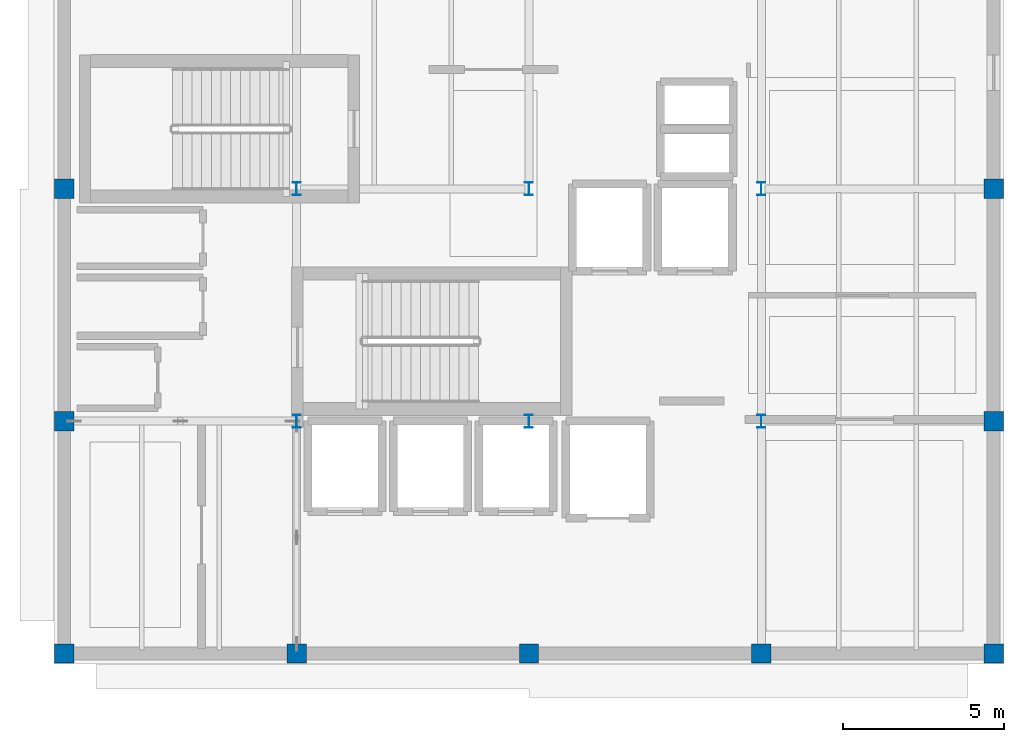
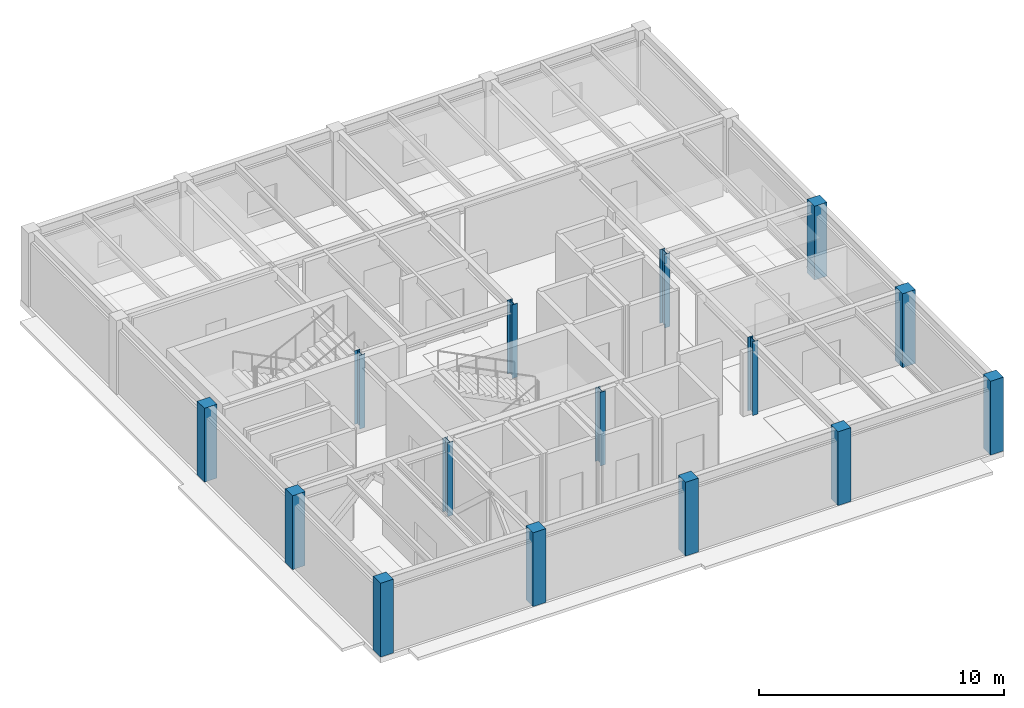
# One storey, part 1 of 8: 15 columns.
"""IFC4 building model written with IfcOpenShell, lengths in metres."""

from ifc_helpers import new_model, si_unit, direction, frame, origin, origin_2d, place, context, subcontext, project, spatial, rectangle, i_section, extrude, material, material_profile, profile_set, type_object, element, save


model = new_model("IFC4")

# Units and contexts
model_context = context("Model", 3, precision=1e-05, world=origin(), true_north=direction((0.0, 1.0)))
body_context = subcontext(model_context, "Body", "Model", "MODEL_VIEW")
ifc_project = project(units=[si_unit("LENGTHUNIT", "METRE"), si_unit("AREAUNIT", "SQUARE_METRE"), si_unit("VOLUMEUNIT", "CUBIC_METRE"), si_unit("PLANEANGLEUNIT", "RADIAN"), si_unit("MASSUNIT", "GRAM", prefix="KILO")], contexts=[model_context])

# Site, building, storey
site_placement = place(None, origin())
site = spatial("IfcSite", under=ifc_project, at=site_placement, CompositionType="ELEMENT")
building_placement = place(site_placement, origin())
building = spatial("IfcBuilding", under=site, at=building_placement, Name="Kandorven Conservatory and Botanical Research Centre", CompositionType="ELEMENT")
storey_placement = place(building_placement, frame((0.0, 0.0, 40.5)))
storey = spatial("IfcBuildingStorey", under=building, at=storey_placement, Name="L10", CompositionType="ELEMENT", Elevation=40.5)

# Columns
ifc_material_1 = material(Name="Steel S355 (IS 2062 E350)", Category="steel")
ifc_material_profile_1 = material_profile(ifc_material_1, i_section(OverallWidth=0.25, OverallDepth=0.39990234375, WebThickness=0.010498046875, FlangeThickness=0.0126953125, at=origin_2d()))
ifc_profile_set_1 = profile_set([ifc_material_profile_1], Name="Steel S355 (IS 2062 E350)")
column_type_1 = type_object("IfcColumnType", Name="Col_SC-02", PredefinedType="COLUMN", material=ifc_profile_set_1)
for number, where, z_axis, x_axis, name in (
    (1, (13.199951171875, 13.199951171875, 0.0), (0.0, 0.0, 1.0), (1.0, 0.0, 0.0), "Column SC-02 TWR L10 (2,2)"),
    (2, (13.199951171875, 20.39990234375, 0.0), (0.0, 0.0, 1.0), (1.0, 0.0, 0.0), "Column SC-02 TWR L10 (2,3)"),
    (3, (20.39990234375, 13.199951171875, 0.0), (0.0, 0.0, 1.0), (1.0, 0.0, 0.0), "Column SC-02 TWR L10 (3,2)"),
    (4, (20.39990234375, 20.39990234375, 0.0), (0.0, 0.0, 1.0), (1.0, 0.0, 0.0), "Column SC-02 TWR L10 (3,3)"),
    (5, (27.60009765625, 13.199951171875, 0.0), (0.0, 0.0, 1.0), (1.0, 0.0, 0.0), "Column SC-02 TWR L10 (4,2)"),
    (6, (27.60009765625, 20.39990234375, 0.0), (0.0, 0.0, 1.0), (1.0, 0.0, 0.0), "Column SC-02 TWR L10 (4,3)"),
):
    element("IfcColumn", number, at=place(storey_placement, frame(where, z_axis=z_axis, x_axis=x_axis)), inside=storey, type_object=column_type_1, Name=name, PredefinedType="COLUMN", context=body_context, shape_type="SweptSolid", body=[
        extrude(i_section(OverallWidth=0.25, OverallDepth=0.39990234375, WebThickness=0.010498046875, FlangeThickness=0.0126953125, at=origin_2d()), origin(), (0.0, 0.0, 1.0), 3.679931640625),
    ])
ifc_material_2 = material(Name="Concrete C40/50 (M50)", Category="concrete")
ifc_material_profile_2 = material_profile(ifc_material_2, rectangle(XDim=0.60009765625, YDim=0.60009765625, at=origin_2d()))
ifc_profile_set_2 = profile_set([ifc_material_profile_2], Name="Concrete C40/50 (M50)")
column_type_2 = type_object("IfcColumnType", Name="Col_TC-04", PredefinedType="COLUMN", material=ifc_profile_set_2)
for number, where, z_axis, x_axis, name in (
    (7, (6.0, 6.0, 0.0), (0.0, 0.0, 1.0), (1.0, 0.0, 0.0), "Column TC-04 TWR L10 (1,1)"),
    (8, (6.0, 13.199951171875, 0.0), (0.0, 0.0, 1.0), (1.0, 0.0, 0.0), "Column TC-04 TWR L10 (1,2)"),
    (9, (6.0, 20.39990234375, 0.0), (0.0, 0.0, 1.0), (1.0, 0.0, 0.0), "Column TC-04 TWR L10 (1,3)"),
    (10, (13.199951171875, 6.0, 0.0), (0.0, 0.0, 1.0), (1.0, 0.0, 0.0), "Column TC-04 TWR L10 (2,1)"),
    (11, (20.39990234375, 6.0, 0.0), (0.0, 0.0, 1.0), (1.0, 0.0, 0.0), "Column TC-04 TWR L10 (3,1)"),
    (12, (27.60009765625, 6.0, 0.0), (0.0, 0.0, 1.0), (1.0, 0.0, 0.0), "Column TC-04 TWR L10 (4,1)"),
    (13, (34.800048828125, 6.0, 0.0), (0.0, 0.0, 1.0), (1.0, 0.0, 0.0), "Column TC-04 TWR L10 (5,1)"),
    (14, (34.800048828125, 13.199951171875, 0.0), (0.0, 0.0, 1.0), (1.0, 0.0, 0.0), "Column TC-04 TWR L10 (5,2)"),
    (15, (34.800048828125, 20.39990234375, 0.0), (0.0, 0.0, 1.0), (1.0, 0.0, 0.0), "Column TC-04 TWR L10 (5,3)"),
):
    element("IfcColumn", number, at=place(storey_placement, frame(where, z_axis=z_axis, x_axis=x_axis)), inside=storey, type_object=column_type_2, Name=name, PredefinedType="COLUMN", context=body_context, shape_type="SweptSolid", body=[
        extrude(rectangle(XDim=0.60009765625, YDim=0.60009765625, at=origin_2d()), origin(), (0.0, 0.0, 1.0), 3.679931640625),
    ])

save(model, "model.ifc")
